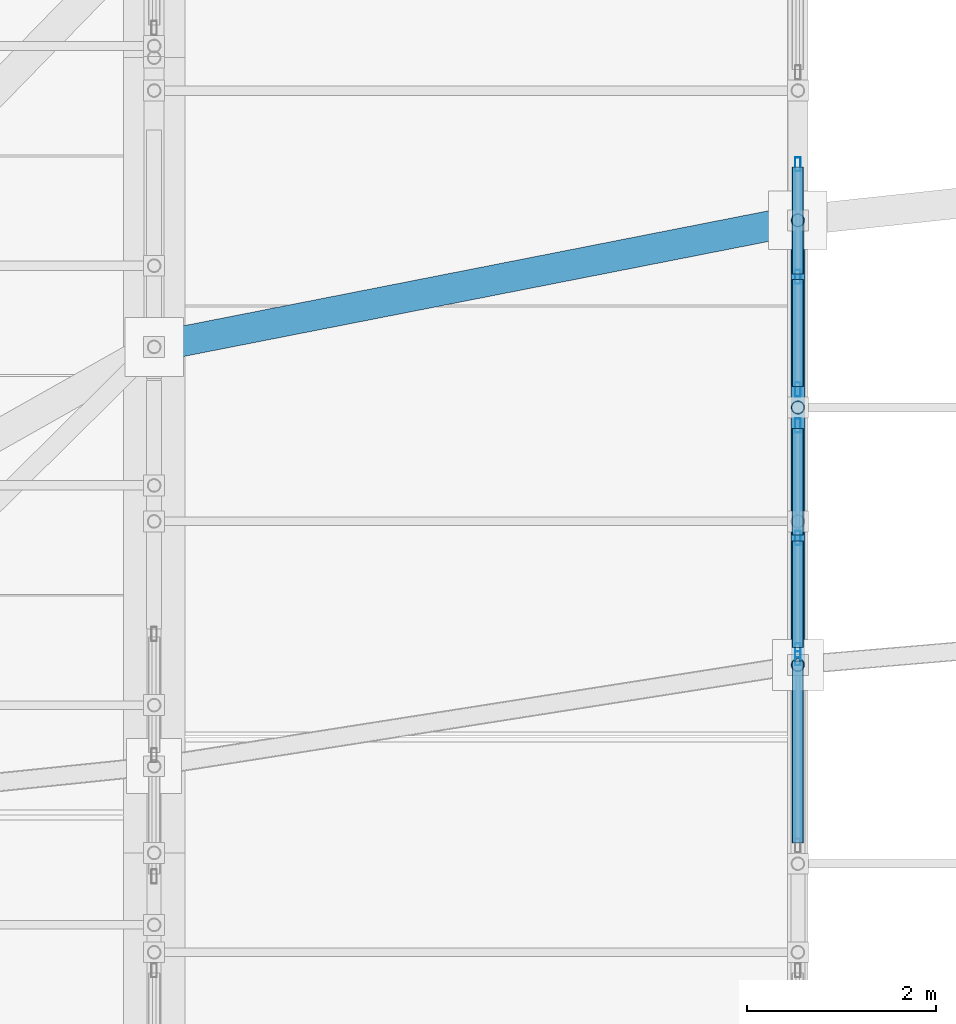
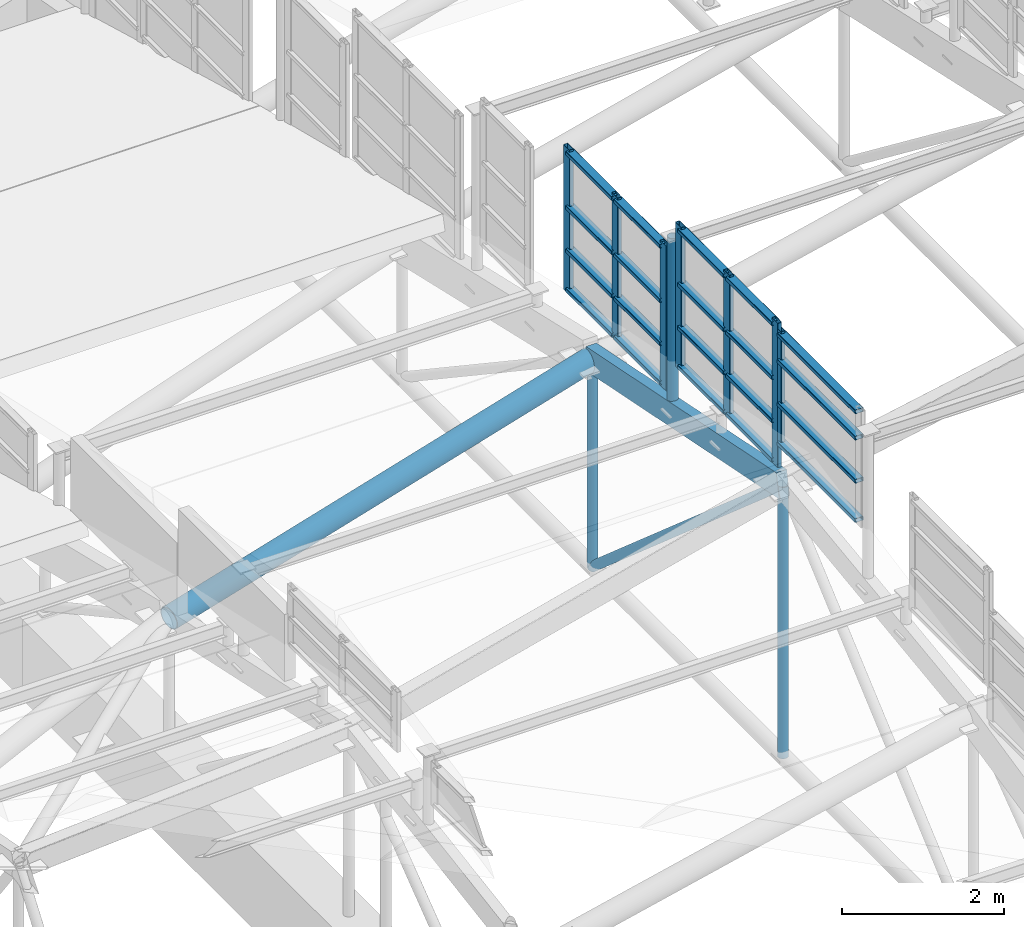
# One storey, part 85 of 188: 33 members, 3 elements without a shape of their own.
"""IFC4 building model written with IfcOpenShell, lengths in metres."""

import ifcopenshell
import ifcopenshell.guid

model = None  # the IFC model being written
_history = None  # IfcOwnerHistory: only IFC2X3 demands one
_inside = {}  # id of a spatial element -> (the spatial element, [elements in it])
_under = {}  # id of a project, library or spatial element -> (it, [spatial elements below it])
_declared = {}  # id of a project -> (the project, [libraries it declares])
_typed = {}  # id of a type object -> (the type object, [elements of that type])
_made_of = {}  # id of a material, layer set ... -> (it, [elements and type objects made of it])


def new_model(schema):
    """Start an empty IFC model of exactly this schema.

    Asked for "IFC4X3", IfcOpenShell would pick the latest addendum, in which some entities
    have other attributes; the version numbers below select the first issue.
    IFC2X3 requires an IfcOwnerHistory on every rooted entity: one is made here for all.
    """
    global model, _history
    if schema == "IFC4X3":
        model = ifcopenshell.file(schema_version=(4, 3, 0, 0))
    else:
        model = ifcopenshell.file(schema=schema)
    _inside.clear()
    _under.clear()
    _declared.clear()
    _typed.clear()
    _made_of.clear()
    _history = None
    if model.schema == "IFC2X3":
        org = make("IfcOrganization", Name="unknown")
        user = make(
            "IfcPersonAndOrganization",
            ThePerson=make("IfcPerson", FamilyName="unknown"),
            TheOrganization=org,
        )
        app = make(
            "IfcApplication",
            ApplicationDeveloper=org,
            Version="unknown",
            ApplicationFullName="unknown",
            ApplicationIdentifier="unknown",
        )
        _history = make(
            "IfcOwnerHistory",
            OwningUser=user,
            OwningApplication=app,
            ChangeAction="ADDED",
            CreationDate=0,
        )
    return model


def make(cls, **values):
    """One entity of the class cls with the attributes given. An attribute that is None is left unset."""
    return model.create_entity(
        cls, **{name: value for name, value in values.items() if value is not None}
    )


def rooted(cls, **values):
    """An entity with a GlobalId (a new one), such as an element, a storey or a relation."""
    return make(cls, GlobalId=ifcopenshell.guid.new(), OwnerHistory=_history, **values)


def si_unit(unit_type, name, prefix=None):
    """IfcSIUnit, for example si_unit("LENGTHUNIT", "METRE", prefix="MILLI")."""
    return make("IfcSIUnit", UnitType=unit_type, Prefix=prefix, Name=name)


def assignment(units):
    """IfcUnitAssignment: the units of a project."""
    return None if units is None else make("IfcUnitAssignment", Units=units)


def point(xyz):
    """IfcCartesianPoint."""
    return None if xyz is None else make("IfcCartesianPoint", Coordinates=xyz)


def direction(xyz):
    """IfcDirection."""
    return None if xyz is None else make("IfcDirection", DirectionRatios=xyz)


def frame(location, z_axis=None, x_axis=None):
    """IfcAxis2Placement3D, a coordinate frame: its origin and axes. An axis left out is left unset."""
    return make(
        "IfcAxis2Placement3D",
        Location=point(location),
        Axis=direction(z_axis),
        RefDirection=direction(x_axis),
    )


def frame_2d(location, x_axis=None):
    """IfcAxis2Placement2D, a coordinate frame in the plane: its origin and x axis."""
    return make(
        "IfcAxis2Placement2D", Location=point(location), RefDirection=direction(x_axis)
    )


def origin():
    """The frame at (0, 0, 0) with its axes left unset."""
    return frame((0.0, 0.0, 0.0))


def origin_2d():
    """The frame at (0, 0) in the plane with its x axis left unset."""
    return frame_2d((0.0, 0.0))


def place(relative_to, where):
    """IfcLocalPlacement: puts the frame where relative to a parent placement (None: the world)."""
    return make(
        "IfcLocalPlacement", PlacementRelTo=relative_to, RelativePlacement=where
    )


def context(
    kind, dimensions, precision=None, world=None, true_north=None, identifier=None
):
    """IfcGeometricRepresentationContext, for example the 3D "Model" context."""
    return make(
        "IfcGeometricRepresentationContext",
        ContextIdentifier=identifier,
        ContextType=kind,
        CoordinateSpaceDimension=dimensions,
        Precision=precision,
        WorldCoordinateSystem=world,
        TrueNorth=true_north,
    )


def subcontext(parent, identifier, kind, view, scale=None):
    """IfcGeometricRepresentationSubContext, for example "Body" below "Model"."""
    return make(
        "IfcGeometricRepresentationSubContext",
        ContextIdentifier=identifier,
        ContextType=kind,
        ParentContext=parent,
        TargetScale=scale,
        TargetView=view,
    )


def project(units=None, contexts=None):
    """IfcProject with its units and contexts."""
    return rooted(
        "IfcProject",
        Name="project",
        RepresentationContexts=contexts,
        UnitsInContext=assignment(units),
    )


def spatial(cls, under=None, at=None, **own):
    """A site, building, storey or space (cls), placed at a placement, below another one or the project."""
    s = rooted(cls, ObjectPlacement=at, **own)
    if under is not None:
        _under.setdefault(under.id(), (under, []))[1].append(s)
    return s


def profile(cls, at=None, kind="AREA", **sizes):
    """A parametric profile (cls). Its sizes go by their IFC names, for example OverallWidth=200.0."""
    return make(cls, ProfileType=kind, Position=at, **sizes)


def rectangle(**sizes):
    """IfcRectangleProfileDef."""
    return profile("IfcRectangleProfileDef", **sizes)


def hollow_rectangle(**sizes):
    """IfcRectangleHollowProfileDef."""
    return profile("IfcRectangleHollowProfileDef", **sizes)


def hollow_circle(**sizes):
    """IfcCircleHollowProfileDef."""
    return profile("IfcCircleHollowProfileDef", **sizes)


def extrude(swept, where, along, depth):
    """IfcExtrudedAreaSolid: the profile swept, set in the frame where, extruded along a direction by depth."""
    return make(
        "IfcExtrudedAreaSolid",
        SweptArea=swept,
        Position=where,
        ExtrudedDirection=direction(along),
        Depth=depth,
    )


def shape(context_of_items, identifier, shape_type, items):
    """IfcShapeRepresentation: the items that make up one representation, for example the "Body"."""
    return make(
        "IfcShapeRepresentation",
        ContextOfItems=context_of_items,
        RepresentationIdentifier=identifier,
        RepresentationType=shape_type,
        Items=items,
    )


def material(Name=None, Category=None):
    """IfcMaterial."""
    return make("IfcMaterial", Name=Name, Category=Category)


def layer(
    of_material, thickness, ventilated=None, Name=None, Category=None, Priority=None
):
    """IfcMaterialLayer: one layer of a wall or slab, of a material (None: an air gap)."""
    return make(
        "IfcMaterialLayer",
        Material=of_material,
        LayerThickness=thickness,
        IsVentilated=ventilated,
        Name=Name,
        Category=Category,
        Priority=Priority,
    )


def layer_set(layers, Name=None):
    """IfcMaterialLayerSet."""
    return make("IfcMaterialLayerSet", MaterialLayers=layers, LayerSetName=Name)


def material_profile(
    of_material, cross_section, Name=None, Category=None, Priority=None
):
    """IfcMaterialProfile: a cross section and its material."""
    return make(
        "IfcMaterialProfile",
        Name=Name,
        Material=of_material,
        Profile=cross_section,
        Priority=Priority,
        Category=Category,
    )


def profile_set(profiles, Name=None, composite=None):
    """IfcMaterialProfileSet."""
    return make(
        "IfcMaterialProfileSet",
        Name=Name,
        MaterialProfiles=profiles,
        CompositeProfile=composite,
    )


def made_of(thing, what):
    """Note that an element or type object is made of a material, layer set ...; save() writes the relation."""
    if what is not None:
        _made_of.setdefault(what.id(), (what, []))[1].append(thing)
    return thing


def type_object(cls, material=None, **own):
    """A type object (cls), such as IfcWallType, which elements share."""
    return made_of(rooted(cls, **own), material)


def element(
    cls,
    number,
    at=None,
    inside=None,
    cuts=None,
    type_object=None,
    material=None,
    context=None,
    identifier="Body",
    shape_type=None,
    held_by="IfcProductDefinitionShape",
    body=None,
    shapes=None,
    **own,
):
    """One element of the class cls, such as IfcWall. Its Tag is "e" and its number.

    at: its placement. inside: the storey or other place that contains it. cuts: it is an
    opening in that element (IfcRelVoidsElement). A single representation is given by context,
    identifier, shape_type and body (its items); several are given by shapes. held_by: the class
    of the entity that holds the representations. save() writes the other relations.
    """
    e = rooted(cls, Tag="e%d" % number, ObjectPlacement=at, **own)
    if body is not None:
        shapes = [shape(context, identifier, shape_type, body)]
    if shapes is not None:
        e.Representation = make(held_by, Representations=shapes)
    if inside is not None:
        _inside.setdefault(inside.id(), (inside, []))[1].append(e)
    if cuts is not None:
        rooted(
            "IfcRelVoidsElement", RelatingBuildingElement=cuts, RelatedOpeningElement=e
        )
    if type_object is not None:
        _typed.setdefault(type_object.id(), (type_object, []))[1].append(e)
    return made_of(e, material)


def aggregate(whole, parts):
    """IfcRelAggregates: a whole, such as a stair, and the parts it consists of."""
    return rooted("IfcRelAggregates", RelatingObject=whole, RelatedObjects=parts)


def save(model, path):
    """Write the relations noted so far, then the file.

    IfcRelAggregates (storeys below a building ...), IfcRelContainedInSpatialStructure (elements
    in a storey), IfcRelDefinesByType, IfcRelAssociatesMaterial and IfcRelDeclares: one each for
    every whole, place, type object, material and project.
    """
    for whole, parts in _under.values():
        aggregate(whole, parts)
    for where, things in _inside.values():
        rooted(
            "IfcRelContainedInSpatialStructure",
            RelatedElements=things,
            RelatingStructure=where,
        )
    for kind, things in _typed.values():
        rooted("IfcRelDefinesByType", RelatedObjects=things, RelatingType=kind)
    for what, things in _made_of.values():
        rooted("IfcRelAssociatesMaterial", RelatedObjects=things, RelatingMaterial=what)
    for by, libraries in _declared.values():
        rooted("IfcRelDeclares", RelatingContext=by, RelatedDefinitions=libraries)
    model.write(path)


model = new_model("IFC4")

# Units and contexts
model_context = context("Model", 3, precision=1e-05, world=origin(), true_north=direction((0.0, 1.0)))
body_context = subcontext(model_context, "Body", "Model", "MODEL_VIEW")
ifc_project = project(units=[si_unit("LENGTHUNIT", "METRE"), si_unit("AREAUNIT", "SQUARE_METRE"), si_unit("VOLUMEUNIT", "CUBIC_METRE"), si_unit("PLANEANGLEUNIT", "RADIAN"), si_unit("MASSUNIT", "GRAM", prefix="KILO")], contexts=[model_context])

# Site, building, storey
site_placement = place(None, origin())
site = spatial("IfcSite", under=ifc_project, at=site_placement, CompositionType="ELEMENT")
building_placement = place(site_placement, origin())
building = spatial("IfcBuilding", under=site, at=building_placement, Name="Kisaragi Civic Commons", CompositionType="ELEMENT")
storey_placement = place(building_placement, frame((0.0, 0.0, 9.60009765625)))
storey = spatial("IfcBuildingStorey", under=building, at=storey_placement, Name="L02", CompositionType="ELEMENT", Elevation=9.60009765625)

# Curtain wall, member
ifc_material_1 = material(Name="Thermally broken anodized aluminium and low-E double glazing", Category="aluminium")
ifc_layer = layer(ifc_material_1, 0.14990234375, Name="Thermally broken anodized aluminium and low-E double glazing", Category="aluminium")
ifc_layer_set = layer_set([ifc_layer], Name="Thermally broken anodized aluminium and low-E double glazing")
curtain_wall_type = type_object("IfcCurtainWallType", Name="CW-03", PredefinedType="NOTDEFINED", material=ifc_layer_set)
curtain_wall_1_placement = place(storey_placement, origin())
curtain_wall_1 = element("IfcCurtainWall", 1, at=curtain_wall_1_placement, inside=storey, type_object=curtain_wall_type, Name="L02 curtain wall CW-03 CW-CL-V2-185", PredefinedType="NOTDEFINED")
ifc_material_profile_1 = material_profile(ifc_material_1, hollow_rectangle(XDim=0.06005859375, YDim=0.14990234375, WallThickness=0.00390625, InnerFilletRadius=0.00390625, OuterFilletRadius=0.008056640625, at=origin_2d()), Name="CWM-60x150x4", Category="aluminium")
ifc_profile_set_1 = profile_set([ifc_material_profile_1], Name="Thermally broken anodized aluminium and low-E double glazing")
member_type_1 = type_object("IfcMemberType", Name="CWM-01", PredefinedType="MULLION", material=ifc_profile_set_1)
member_1_placement = place(storey_placement, frame((13.60009765625, 98.054931640625, 3.93408203125), z_axis=(0.0, 0.0, 1.0), x_axis=(-1.0, 0.0, 0.0)))
member_1 = element("IfcMember", 2, at=member_1_placement, type_object=member_type_1, Name="CW-03 mullion 2", PredefinedType="MULLION", context=body_context, shape_type="SweptSolid", body=[
    extrude(hollow_rectangle(XDim=0.06005859375, YDim=0.14990234375, WallThickness=0.00390625, InnerFilletRadius=0.00390625, OuterFilletRadius=0.008056640625, at=origin_2d()), origin(), (0.0, 0.0, 1.0), 1.754638671875),
])

# Curtain wall, members
curtain_wall_2_placement = place(storey_placement, origin())
curtain_wall_2 = element("IfcCurtainWall", 3, at=curtain_wall_2_placement, inside=storey, type_object=curtain_wall_type, Name="L02 curtain wall CW-03 CW-CL-V2-186", PredefinedType="NOTDEFINED")
member_2_placement = place(storey_placement, frame((13.60009765625, 98.138916015625, 3.595458984375), z_axis=(0.0, 0.0, 1.0), x_axis=(-1.0, 0.0, 0.0)))
member_2 = element("IfcMember", 4, at=member_2_placement, type_object=member_type_1, Name="CW-03 mullion 1", PredefinedType="MULLION", context=body_context, shape_type="SweptSolid", body=[
    extrude(hollow_rectangle(XDim=0.06005859375, YDim=0.14990234375, WallThickness=0.00390625, InnerFilletRadius=0.00390625, OuterFilletRadius=0.008056640625, at=origin_2d()), origin(), (0.0, 0.0, 1.0), 2.170166015625),
])
member_3_placement = place(storey_placement, frame((13.60009765625, 99.32666015625, 3.595458984375), z_axis=(0.0, 0.0, 1.0), x_axis=(-1.0, 0.0, 0.0)))
member_3 = element("IfcMember", 5, at=member_3_placement, type_object=member_type_1, Name="CW-03 mullion 2", PredefinedType="MULLION", context=body_context, shape_type="SweptSolid", body=[
    extrude(hollow_rectangle(XDim=0.06005859375, YDim=0.14990234375, WallThickness=0.00390625, InnerFilletRadius=0.00390625, OuterFilletRadius=0.008056640625, at=origin_2d()), origin(), (0.0, 0.0, 1.0), 2.170166015625),
])
member_4_placement = place(storey_placement, frame((13.60009765625, 100.514404296875, 3.595458984375), z_axis=(0.0, 0.0, 1.0), x_axis=(-1.0, 0.0, 0.0)))
member_4 = element("IfcMember", 6, at=member_4_placement, type_object=member_type_1, Name="CW-03 mullion 3", PredefinedType="MULLION", context=body_context, shape_type="SweptSolid", body=[
    extrude(hollow_rectangle(XDim=0.06005859375, YDim=0.14990234375, WallThickness=0.00390625, InnerFilletRadius=0.00390625, OuterFilletRadius=0.008056640625, at=origin_2d()), origin(), (0.0, 0.0, 1.0), 2.170166015625),
])

curtain_wall_3_placement = place(storey_placement, origin())
curtain_wall_3 = element("IfcCurtainWall", 7, at=curtain_wall_3_placement, inside=storey, type_object=curtain_wall_type, Name="L02 curtain wall CW-03 CW-CL-V2-187", PredefinedType="NOTDEFINED")
member_5_placement = place(storey_placement, frame((13.60009765625, 100.89453125, 3.081787109375), z_axis=(0.0, 0.0, 1.0), x_axis=(-1.0, 0.0, 0.0)))
member_5 = element("IfcMember", 8, at=member_5_placement, type_object=member_type_1, Name="CW-03 mullion 1", PredefinedType="MULLION", context=body_context, shape_type="SweptSolid", body=[
    extrude(hollow_rectangle(XDim=0.06005859375, YDim=0.14990234375, WallThickness=0.00390625, InnerFilletRadius=0.00390625, OuterFilletRadius=0.008056640625, at=origin_2d()), origin(), (0.0, 0.0, 1.0), 2.176513671875),
])
member_6_placement = place(storey_placement, frame((13.60009765625, 102.084228515625, 3.081787109375), z_axis=(0.0, 0.0, 1.0), x_axis=(-1.0, 0.0, 0.0)))
member_6 = element("IfcMember", 9, at=member_6_placement, type_object=member_type_1, Name="CW-03 mullion 2", PredefinedType="MULLION", context=body_context, shape_type="SweptSolid", body=[
    extrude(hollow_rectangle(XDim=0.06005859375, YDim=0.14990234375, WallThickness=0.00390625, InnerFilletRadius=0.00390625, OuterFilletRadius=0.008056640625, at=origin_2d()), origin(), (0.0, 0.0, 1.0), 2.176513671875),
])
member_7_placement = place(storey_placement, frame((13.60009765625, 103.274169921875, 3.081787109375), z_axis=(0.0, 0.0, 1.0), x_axis=(-1.0, 0.0, 0.0)))
member_7 = element("IfcMember", 10, at=member_7_placement, type_object=member_type_1, Name="CW-03 mullion 3", PredefinedType="MULLION", context=body_context, shape_type="SweptSolid", body=[
    extrude(hollow_rectangle(XDim=0.06005859375, YDim=0.14990234375, WallThickness=0.00390625, InnerFilletRadius=0.00390625, OuterFilletRadius=0.008056640625, at=origin_2d()), origin(), (0.0, 0.0, 1.0), 2.176513671875),
])

# Member
ifc_material_profile_2 = material_profile(ifc_material_1, hollow_rectangle(XDim=0.1201171875, YDim=0.06005859375, WallThickness=0.00390625, InnerFilletRadius=0.00390625, OuterFilletRadius=0.008056640625, at=origin_2d()), Name="CWT-60x120x4", Category="aluminium")
ifc_profile_set_2 = profile_set([ifc_material_profile_2], Name="Thermally broken anodized aluminium and low-E double glazing")
member_type_2 = type_object("IfcMemberType", Name="CWT-01", PredefinedType="USERDEFINED", material=ifc_profile_set_2)
member_8_placement = place(storey_placement, frame((13.60009765625, 96.105712890625, 3.994140625), z_axis=(0.0, 1.0, 0.0), x_axis=(-1.0, 0.0, 0.0)))
member_8 = element("IfcMember", 11, at=member_8_placement, type_object=member_type_2, Name="CW-03 transom 1.1", ObjectType="TRANSOM", PredefinedType="USERDEFINED", context=body_context, shape_type="SweptSolid", body=[
    extrude(hollow_rectangle(XDim=0.1201171875, YDim=0.06005859375, WallThickness=0.00390625, InnerFilletRadius=0.00390625, OuterFilletRadius=0.008056640625, at=origin_2d()), origin(), (0.0, 0.0, 1.0), 1.919189453125),
])

member_9_placement = place(storey_placement, frame((13.60009765625, 96.105712890625, 4.584228515625), z_axis=(0.0, 1.0, 0.0), x_axis=(-1.0, 0.0, 0.0)))
member_9 = element("IfcMember", 12, at=member_9_placement, type_object=member_type_2, Name="CW-03 transom 1.2", ObjectType="TRANSOM", PredefinedType="USERDEFINED", context=body_context, shape_type="SweptSolid", body=[
    extrude(hollow_rectangle(XDim=0.1201171875, YDim=0.06005859375, WallThickness=0.00390625, InnerFilletRadius=0.00390625, OuterFilletRadius=0.008056640625, at=origin_2d()), origin(), (0.0, 0.0, 1.0), 1.919189453125),
])

member_10_placement = place(storey_placement, frame((13.60009765625, 96.105712890625, 5.234130859375), z_axis=(0.0, 1.0, 0.0), x_axis=(-1.0, 0.0, 0.0)))
member_10 = element("IfcMember", 13, at=member_10_placement, type_object=member_type_2, Name="CW-03 transom 1.3", ObjectType="TRANSOM", PredefinedType="USERDEFINED", context=body_context, shape_type="SweptSolid", body=[
    extrude(hollow_rectangle(XDim=0.1201171875, YDim=0.06005859375, WallThickness=0.00390625, InnerFilletRadius=0.00390625, OuterFilletRadius=0.008056640625, at=origin_2d()), origin(), (0.0, 0.0, 1.0), 1.919189453125),
])

member_11_placement = place(storey_placement, frame((13.60009765625, 96.105712890625, 5.628662109375), z_axis=(0.0, 1.0, 0.0), x_axis=(-1.0, 0.0, 0.0)))
member_11 = element("IfcMember", 14, at=member_11_placement, type_object=member_type_2, Name="CW-03 transom 1.4", ObjectType="TRANSOM", PredefinedType="USERDEFINED", context=body_context, shape_type="SweptSolid", body=[
    extrude(hollow_rectangle(XDim=0.1201171875, YDim=0.06005859375, WallThickness=0.00390625, InnerFilletRadius=0.00390625, OuterFilletRadius=0.008056640625, at=origin_2d()), origin(), (0.0, 0.0, 1.0), 1.919189453125),
])

aggregate(curtain_wall_1, [member_1, member_8, member_9, member_10, member_11])

member_12_placement = place(storey_placement, frame((13.60009765625, 98.1689453125, 3.655517578125), z_axis=(0.0, 1.0, 0.0), x_axis=(-1.0, 0.0, 0.0)))
member_12 = element("IfcMember", 15, at=member_12_placement, type_object=member_type_2, Name="CW-03 transom 1.1", ObjectType="TRANSOM", PredefinedType="USERDEFINED", context=body_context, shape_type="SweptSolid", body=[
    extrude(hollow_rectangle(XDim=0.1201171875, YDim=0.06005859375, WallThickness=0.00390625, InnerFilletRadius=0.00390625, OuterFilletRadius=0.008056640625, at=origin_2d()), origin(), (0.0, 0.0, 1.0), 1.127685546875),
])

member_13_placement = place(storey_placement, frame((13.60009765625, 98.1689453125, 4.245361328125), z_axis=(0.0, 1.0, 0.0), x_axis=(-1.0, 0.0, 0.0)))
member_13 = element("IfcMember", 16, at=member_13_placement, type_object=member_type_2, Name="CW-03 transom 1.2", ObjectType="TRANSOM", PredefinedType="USERDEFINED", context=body_context, shape_type="SweptSolid", body=[
    extrude(hollow_rectangle(XDim=0.1201171875, YDim=0.06005859375, WallThickness=0.00390625, InnerFilletRadius=0.00390625, OuterFilletRadius=0.008056640625, at=origin_2d()), origin(), (0.0, 0.0, 1.0), 1.127685546875),
])

member_14_placement = place(storey_placement, frame((13.60009765625, 98.1689453125, 4.8955078125), z_axis=(0.0, 1.0, 0.0), x_axis=(-1.0, 0.0, 0.0)))
member_14 = element("IfcMember", 17, at=member_14_placement, type_object=member_type_2, Name="CW-03 transom 1.3", ObjectType="TRANSOM", PredefinedType="USERDEFINED", context=body_context, shape_type="SweptSolid", body=[
    extrude(hollow_rectangle(XDim=0.1201171875, YDim=0.06005859375, WallThickness=0.00390625, InnerFilletRadius=0.00390625, OuterFilletRadius=0.008056640625, at=origin_2d()), origin(), (0.0, 0.0, 1.0), 1.127685546875),
])

member_15_placement = place(storey_placement, frame((13.60009765625, 98.1689453125, 5.705810546875), z_axis=(0.0, 1.0, 0.0), x_axis=(-1.0, 0.0, 0.0)))
member_15 = element("IfcMember", 18, at=member_15_placement, type_object=member_type_2, Name="CW-03 transom 1.4", ObjectType="TRANSOM", PredefinedType="USERDEFINED", context=body_context, shape_type="SweptSolid", body=[
    extrude(hollow_rectangle(XDim=0.1201171875, YDim=0.06005859375, WallThickness=0.00390625, InnerFilletRadius=0.00390625, OuterFilletRadius=0.008056640625, at=origin_2d()), origin(), (0.0, 0.0, 1.0), 1.127685546875),
])

member_16_placement = place(storey_placement, frame((13.60009765625, 99.356689453125, 3.655517578125), z_axis=(0.0, 1.0, 0.0), x_axis=(-1.0, 0.0, 0.0)))
member_16 = element("IfcMember", 19, at=member_16_placement, type_object=member_type_2, Name="CW-03 transom 2.1", ObjectType="TRANSOM", PredefinedType="USERDEFINED", context=body_context, shape_type="SweptSolid", body=[
    extrude(hollow_rectangle(XDim=0.1201171875, YDim=0.06005859375, WallThickness=0.00390625, InnerFilletRadius=0.00390625, OuterFilletRadius=0.008056640625, at=origin_2d()), origin(), (0.0, 0.0, 1.0), 1.1279296875),
])

member_17_placement = place(storey_placement, frame((13.60009765625, 99.356689453125, 4.245361328125), z_axis=(0.0, 1.0, 0.0), x_axis=(-1.0, 0.0, 0.0)))
member_17 = element("IfcMember", 20, at=member_17_placement, type_object=member_type_2, Name="CW-03 transom 2.2", ObjectType="TRANSOM", PredefinedType="USERDEFINED", context=body_context, shape_type="SweptSolid", body=[
    extrude(hollow_rectangle(XDim=0.1201171875, YDim=0.06005859375, WallThickness=0.00390625, InnerFilletRadius=0.00390625, OuterFilletRadius=0.008056640625, at=origin_2d()), origin(), (0.0, 0.0, 1.0), 1.1279296875),
])

member_18_placement = place(storey_placement, frame((13.60009765625, 99.356689453125, 4.8955078125), z_axis=(0.0, 1.0, 0.0), x_axis=(-1.0, 0.0, 0.0)))
member_18 = element("IfcMember", 21, at=member_18_placement, type_object=member_type_2, Name="CW-03 transom 2.3", ObjectType="TRANSOM", PredefinedType="USERDEFINED", context=body_context, shape_type="SweptSolid", body=[
    extrude(hollow_rectangle(XDim=0.1201171875, YDim=0.06005859375, WallThickness=0.00390625, InnerFilletRadius=0.00390625, OuterFilletRadius=0.008056640625, at=origin_2d()), origin(), (0.0, 0.0, 1.0), 1.1279296875),
])

member_19_placement = place(storey_placement, frame((13.60009765625, 99.356689453125, 5.705810546875), z_axis=(0.0, 1.0, 0.0), x_axis=(-1.0, 0.0, 0.0)))
member_19 = element("IfcMember", 22, at=member_19_placement, type_object=member_type_2, Name="CW-03 transom 2.4", ObjectType="TRANSOM", PredefinedType="USERDEFINED", context=body_context, shape_type="SweptSolid", body=[
    extrude(hollow_rectangle(XDim=0.1201171875, YDim=0.06005859375, WallThickness=0.00390625, InnerFilletRadius=0.00390625, OuterFilletRadius=0.008056640625, at=origin_2d()), origin(), (0.0, 0.0, 1.0), 1.1279296875),
])

aggregate(curtain_wall_2, [member_2, member_3, member_4, member_12, member_13, member_14, member_15, member_16, member_17, member_18, member_19])

member_20_placement = place(storey_placement, frame((13.60009765625, 100.924560546875, 3.1416015625), z_axis=(0.0, 1.0, 0.0), x_axis=(-1.0, 0.0, 0.0)))
member_20 = element("IfcMember", 23, at=member_20_placement, type_object=member_type_2, Name="CW-03 transom 1.1", ObjectType="TRANSOM", PredefinedType="USERDEFINED", context=body_context, shape_type="SweptSolid", body=[
    extrude(hollow_rectangle(XDim=0.1201171875, YDim=0.06005859375, WallThickness=0.00390625, InnerFilletRadius=0.00390625, OuterFilletRadius=0.008056640625, at=origin_2d()), origin(), (0.0, 0.0, 1.0), 1.1298828125),
])

member_21_placement = place(storey_placement, frame((13.60009765625, 100.924560546875, 3.731689453125), z_axis=(0.0, 1.0, 0.0), x_axis=(-1.0, 0.0, 0.0)))
member_21 = element("IfcMember", 24, at=member_21_placement, type_object=member_type_2, Name="CW-03 transom 1.2", ObjectType="TRANSOM", PredefinedType="USERDEFINED", context=body_context, shape_type="SweptSolid", body=[
    extrude(hollow_rectangle(XDim=0.1201171875, YDim=0.06005859375, WallThickness=0.00390625, InnerFilletRadius=0.00390625, OuterFilletRadius=0.008056640625, at=origin_2d()), origin(), (0.0, 0.0, 1.0), 1.1298828125),
])

member_22_placement = place(storey_placement, frame((13.60009765625, 100.924560546875, 4.381591796875), z_axis=(0.0, 1.0, 0.0), x_axis=(-1.0, 0.0, 0.0)))
member_22 = element("IfcMember", 25, at=member_22_placement, type_object=member_type_2, Name="CW-03 transom 1.3", ObjectType="TRANSOM", PredefinedType="USERDEFINED", context=body_context, shape_type="SweptSolid", body=[
    extrude(hollow_rectangle(XDim=0.1201171875, YDim=0.06005859375, WallThickness=0.00390625, InnerFilletRadius=0.00390625, OuterFilletRadius=0.008056640625, at=origin_2d()), origin(), (0.0, 0.0, 1.0), 1.1298828125),
])

member_23_placement = place(storey_placement, frame((13.60009765625, 100.924560546875, 5.198486328125), z_axis=(0.0, 1.0, 0.0), x_axis=(-1.0, 0.0, 0.0)))
member_23 = element("IfcMember", 26, at=member_23_placement, type_object=member_type_2, Name="CW-03 transom 1.4", ObjectType="TRANSOM", PredefinedType="USERDEFINED", context=body_context, shape_type="SweptSolid", body=[
    extrude(hollow_rectangle(XDim=0.1201171875, YDim=0.06005859375, WallThickness=0.00390625, InnerFilletRadius=0.00390625, OuterFilletRadius=0.008056640625, at=origin_2d()), origin(), (0.0, 0.0, 1.0), 1.1298828125),
])

member_24_placement = place(storey_placement, frame((13.60009765625, 102.1142578125, 3.1416015625), z_axis=(0.0, 1.0, 0.0), x_axis=(-1.0, 0.0, 0.0)))
member_24 = element("IfcMember", 27, at=member_24_placement, type_object=member_type_2, Name="CW-03 transom 2.1", ObjectType="TRANSOM", PredefinedType="USERDEFINED", context=body_context, shape_type="SweptSolid", body=[
    extrude(hollow_rectangle(XDim=0.1201171875, YDim=0.06005859375, WallThickness=0.00390625, InnerFilletRadius=0.00390625, OuterFilletRadius=0.008056640625, at=origin_2d()), origin(), (0.0, 0.0, 1.0), 1.1298828125),
])

member_25_placement = place(storey_placement, frame((13.60009765625, 102.1142578125, 3.731689453125), z_axis=(0.0, 1.0, 0.0), x_axis=(-1.0, 0.0, 0.0)))
member_25 = element("IfcMember", 28, at=member_25_placement, type_object=member_type_2, Name="CW-03 transom 2.2", ObjectType="TRANSOM", PredefinedType="USERDEFINED", context=body_context, shape_type="SweptSolid", body=[
    extrude(hollow_rectangle(XDim=0.1201171875, YDim=0.06005859375, WallThickness=0.00390625, InnerFilletRadius=0.00390625, OuterFilletRadius=0.008056640625, at=origin_2d()), origin(), (0.0, 0.0, 1.0), 1.1298828125),
])

member_26_placement = place(storey_placement, frame((13.60009765625, 102.1142578125, 4.381591796875), z_axis=(0.0, 1.0, 0.0), x_axis=(-1.0, 0.0, 0.0)))
member_26 = element("IfcMember", 29, at=member_26_placement, type_object=member_type_2, Name="CW-03 transom 2.3", ObjectType="TRANSOM", PredefinedType="USERDEFINED", context=body_context, shape_type="SweptSolid", body=[
    extrude(hollow_rectangle(XDim=0.1201171875, YDim=0.06005859375, WallThickness=0.00390625, InnerFilletRadius=0.00390625, OuterFilletRadius=0.008056640625, at=origin_2d()), origin(), (0.0, 0.0, 1.0), 1.1298828125),
])

member_27_placement = place(storey_placement, frame((13.60009765625, 102.1142578125, 5.198486328125), z_axis=(0.0, 1.0, 0.0), x_axis=(-1.0, 0.0, 0.0)))
member_27 = element("IfcMember", 30, at=member_27_placement, type_object=member_type_2, Name="CW-03 transom 2.4", ObjectType="TRANSOM", PredefinedType="USERDEFINED", context=body_context, shape_type="SweptSolid", body=[
    extrude(hollow_rectangle(XDim=0.1201171875, YDim=0.06005859375, WallThickness=0.00390625, InnerFilletRadius=0.00390625, OuterFilletRadius=0.008056640625, at=origin_2d()), origin(), (0.0, 0.0, 1.0), 1.1298828125),
])

aggregate(curtain_wall_3, [member_5, member_6, member_7, member_20, member_21, member_22, member_23, member_24, member_25, member_26, member_27])

# Members
ifc_material_2 = material(Name="Steel SN490 (SN490B)", Category="steel")
ifc_material_profile_3 = material_profile(ifc_material_2, hollow_circle(Radius=0.1591796875, WallThickness=0.01025390625, at=origin_2d()), Name="CHS-318.5x10.3", Category="steel")
ifc_profile_set_3 = profile_set([ifc_material_profile_3], Name="Steel SN490 (SN490B)")
member_type_3 = type_object("IfcMemberType", Name="GC-03", PredefinedType="CHORD", material=ifc_profile_set_3)
member_28_placement = place(storey_placement, frame((6.800048828125, 101.344482421875, 1.71337890625), z_axis=(0.97587148859, 0.191859845313, 0.104233571915), x_axis=(-0.192910659481, 0.981216325516, 0.0)))
element("IfcMember", 31, at=member_28_placement, inside=storey, type_object=member_type_3, Name="V2 wave gridshell chord GC-03 12", PredefinedType="CHORD", context=body_context, shape_type="SweptSolid", body=[
    extrude(hollow_circle(Radius=0.1591796875, WallThickness=0.01025390625, at=origin_2d()), origin(), (0.0, 0.0, 1.0), 6.96826171875),
])
ifc_material_3 = material(Name="Glulam E120-F330", Category="wood")
ifc_material_profile_4 = material_profile(ifc_material_3, rectangle(XDim=0.14990234375, YDim=0.360107421875, at=origin_2d()), Name="GL-150x360", Category="wood")
ifc_profile_set_4 = profile_set([ifc_material_profile_4], Name="Glulam E120-F330")
member_type_4 = type_object("IfcMemberType", Name="GR-06", PredefinedType="RAFTER", material=ifc_profile_set_4)
member_29_placement = place(storey_placement, frame((13.60009765625, 97.985107421875, 3.385498046875), z_axis=(0.0, 0.980317142724, -0.197429227018), x_axis=(-1.0, 0.0, 0.0)))
element("IfcMember", 32, at=member_29_placement, inside=storey, type_object=member_type_4, Name="V2 glulam arch rib GR-06 21", PredefinedType="RAFTER", context=body_context, shape_type="SweptSolid", body=[
    extrude(rectangle(XDim=0.14990234375, YDim=0.360107421875, at=origin_2d()), origin(), (0.0, 0.0, 1.0), 4.79052734375),
])
ifc_material_profile_5 = material_profile(ifc_material_2, hollow_circle(Radius=0.06982421875, WallThickness=0.006103515625, at=origin_2d()), Name="CHS-139.8x6.0", Category="steel")
ifc_profile_set_5 = profile_set([ifc_material_profile_5], Name="Steel SN490 (SN490B)")
member_type_5 = type_object("IfcMemberType", Name="ST-H1", PredefinedType="STRUT", material=ifc_profile_set_5)
member_30_placement = place(storey_placement, frame((13.60009765625, 97.985107421875, -0.69921875), z_axis=(0.0, 0.0, 1.0), x_axis=(1.0, 0.0, 0.0)))
element("IfcMember", 33, at=member_30_placement, inside=storey, type_object=member_type_5, Name="V2 arch tie hanger strut 34", PredefinedType="STRUT", context=body_context, shape_type="SweptSolid", body=[
    extrude(hollow_circle(Radius=0.06982421875, WallThickness=0.006103515625, at=origin_2d()), origin(), (0.0, 0.0, 1.0), 4.084716796875),
])
member_31_placement = place(storey_placement, frame((13.60009765625, 102.681396484375, -0.69921875), z_axis=(0.0, 0.0, 1.0), x_axis=(1.0, 0.0, 0.0)))
element("IfcMember", 34, at=member_31_placement, inside=storey, type_object=member_type_5, Name="V2 arch tie hanger strut 35", PredefinedType="STRUT", context=body_context, shape_type="SweptSolid", body=[
    extrude(hollow_circle(Radius=0.06982421875, WallThickness=0.006103515625, at=origin_2d()), origin(), (0.0, 0.0, 1.0), 3.138916015625),
])
member_32_placement = place(storey_placement, frame((13.60009765625, 102.681396484375, -0.69921875), z_axis=(0.0, -0.754526982846, 0.656269024225), x_axis=(1.0, 0.0, 0.0)))
element("IfcMember", 35, at=member_32_placement, inside=storey, type_object=member_type_5, Name="V2 tied arch truss diagonal web strut 41", PredefinedType="STRUT", context=body_context, shape_type="SweptSolid", body=[
    extrude(hollow_circle(Radius=0.06982421875, WallThickness=0.006103515625, at=origin_2d()), origin(), (0.0, 0.0, 1.0), 6.22412109375),
])
member_33_placement = place(storey_placement, frame((13.60009765625, 100.70458984375, 2.837890625), z_axis=(0.0, 0.0, 1.0), x_axis=(1.0, 0.0, 0.0)))
element("IfcMember", 36, at=member_33_placement, inside=storey, type_object=member_type_5, Name="V2 clerestory monitor horizontal tie strut 3.2.5", PredefinedType="STRUT", context=body_context, shape_type="SweptSolid", body=[
    extrude(hollow_circle(Radius=0.06982421875, WallThickness=0.006103515625, at=origin_2d()), origin(), (0.0, 0.0, 1.0), 2.638427734375),
])

save(model, "model.ifc")
